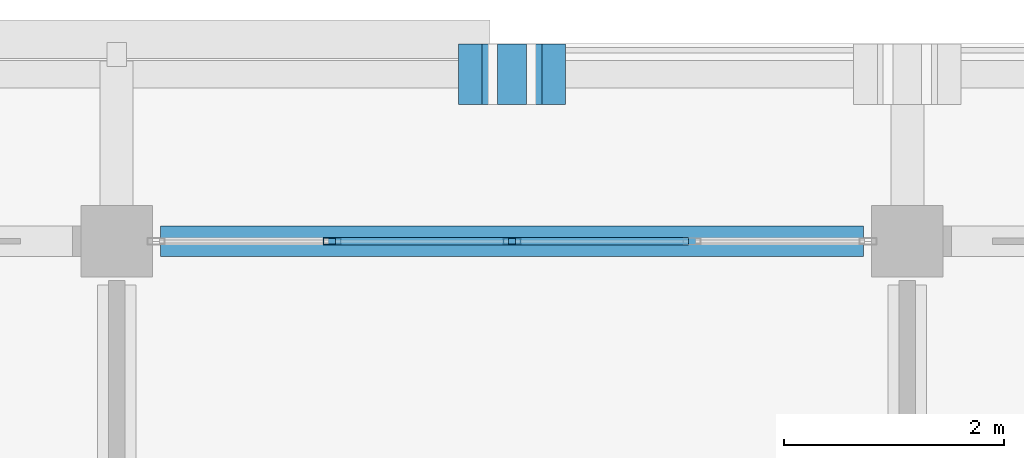
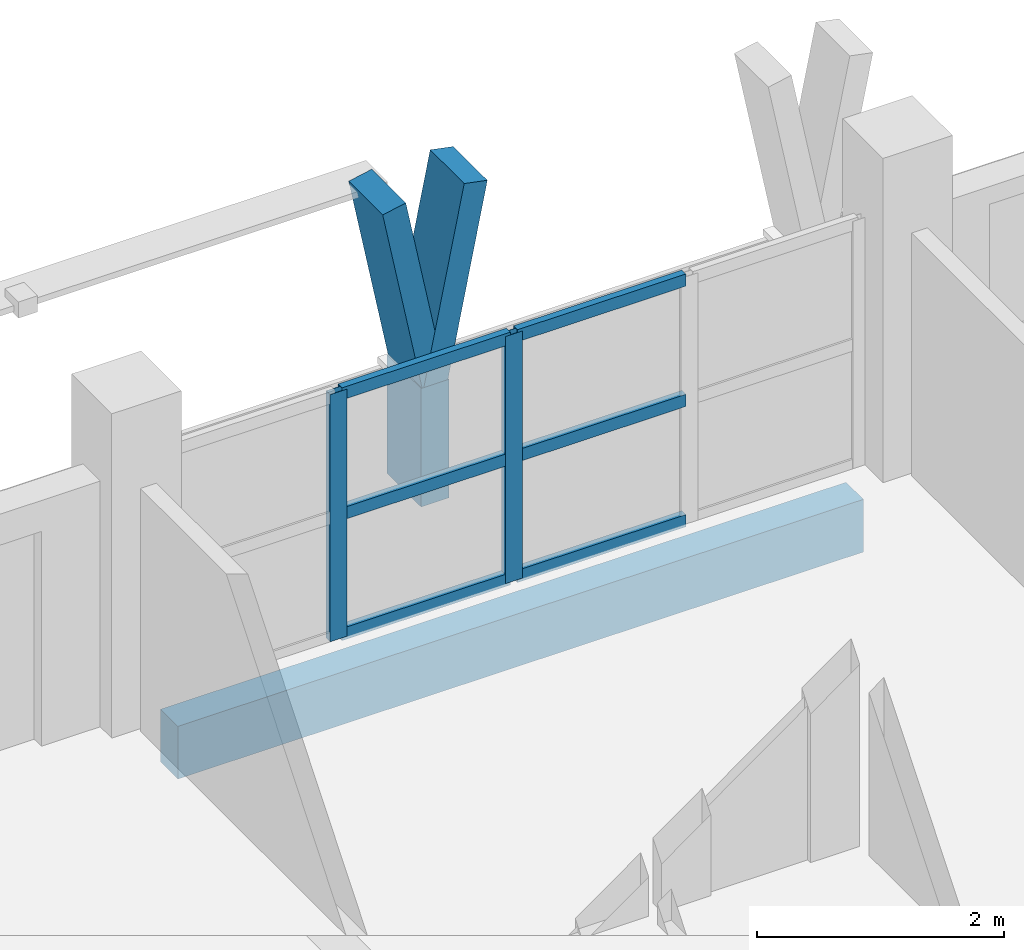
# One storey, part 39 of 157: 11 members, 1 beam, 1 element without a shape of its own.
"""IFC4 building model written with IfcOpenShell, lengths in metres."""

from ifc_helpers import new_model, si_unit, direction, frame, origin, origin_2d, place, context, subcontext, project, spatial, rectangle, hollow_rectangle, extrude, material, material_profile, profile_set, type_object, element, aggregate, save


model = new_model("IFC4")

# Units and contexts
model_context = context("Model", 3, precision=1e-05, world=origin(), true_north=direction((0.0, 1.0)))
body_context = subcontext(model_context, "Body", "Model", "MODEL_VIEW")
ifc_project = project(units=[si_unit("LENGTHUNIT", "METRE"), si_unit("AREAUNIT", "SQUARE_METRE"), si_unit("VOLUMEUNIT", "CUBIC_METRE"), si_unit("PLANEANGLEUNIT", "RADIAN"), si_unit("MASSUNIT", "GRAM", prefix="KILO")], contexts=[model_context])

# Site, building, storey
site_placement = place(None, origin())
site = spatial("IfcSite", under=ifc_project, at=site_placement, CompositionType="ELEMENT")
building_placement = place(site_placement, origin())
building = spatial("IfcBuilding", under=site, at=building_placement, Name="Suanplinth Sawtooth Commons", CompositionType="ELEMENT")
storey_placement = place(building_placement, frame((0.0, 0.0, 9.0)))
storey = spatial("IfcBuildingStorey", under=building, at=storey_placement, Name="L02", CompositionType="ELEMENT", Elevation=9.0)

# Beam
ifc_material_1 = material(Name="Precast concrete C40/50", Category="concrete")
ifc_material_profile_1 = material_profile(ifc_material_1, rectangle(XDim=0.280029296875, YDim=0.52001953125, at=origin_2d()), Name="PC-SP 280x520")
ifc_profile_set_1 = profile_set([ifc_material_profile_1], Name="Precast concrete C40/50")
beam_type = type_object("IfcBeamType", Name="B-08", PredefinedType="SPANDREL", material=ifc_profile_set_1)
beam_placement = place(storey_placement, frame((58.0, 122.39990234375, -0.510009765625), z_axis=(1.0, 0.0, 0.0), x_axis=(0.0, 1.0, 0.0)))
element("IfcBeam", 1, at=beam_placement, inside=storey, type_object=beam_type, Name="BMX-L02-A-8-17", PredefinedType="SPANDREL", context=body_context, shape_type="SweptSolid", body=[
    extrude(rectangle(XDim=0.280029296875, YDim=0.52001953125, at=origin_2d()), origin(), (0.0, 0.0, 1.0), 6.39990234375),
])

# Members
ifc_material_2 = material(Name="Pigmented precast concrete C40/50", Category="concrete")
ifc_material_profile_2 = material_profile(ifc_material_2, rectangle(XDim=0.260009765625, YDim=0.550048828125, at=origin_2d()), Name="PC-FIN 260x550")
ifc_profile_set_2 = profile_set([ifc_material_profile_2], Name="Pigmented precast concrete C40/50")
member_type_1 = type_object("IfcMemberType", Name="M-09", PredefinedType="USERDEFINED", material=ifc_profile_set_2)
member_1_placement = place(storey_placement, frame((61.199951171875, 123.919921875, 0.0), z_axis=(0.0, 0.0, 1.0), x_axis=(1.0, 0.0, 0.0)))
element("IfcMember", 2, at=member_1_placement, inside=storey, type_object=member_type_1, Name="Y-Blade Stem L02-A-N-06", ObjectType="SHADING FIN", PredefinedType="USERDEFINED", context=body_context, shape_type="SweptSolid", body=[
    extrude(rectangle(XDim=0.260009765625, YDim=0.550048828125, at=origin_2d()), origin(), (0.0, 0.0, 1.0), 1.169921875),
])
ifc_material_profile_3 = material_profile(ifc_material_2, rectangle(XDim=0.219970703125, YDim=0.550048828125, at=origin_2d()), Name="PC-FIN 220x550")
ifc_profile_set_3 = profile_set([ifc_material_profile_3], Name="Pigmented precast concrete C40/50")
member_type_2 = type_object("IfcMemberType", Name="M-10", PredefinedType="USERDEFINED", material=ifc_profile_set_3)
member_2_placement = place(storey_placement, frame((61.199951171875, 123.919921875, 1.1298828125), z_axis=(-0.196285728346, 0.0, 0.980546741796), x_axis=(0.980546741796, 0.0, 0.196285728346)))
element("IfcMember", 3, at=member_2_placement, inside=storey, type_object=member_type_2, Name="Y-Blade Arm L L02-A-N-06", ObjectType="SHADING FIN", PredefinedType="USERDEFINED", context=body_context, shape_type="SweptSolid", body=[
    extrude(rectangle(XDim=0.219970703125, YDim=0.550048828125, at=origin_2d()), origin(), (0.0, 0.0, 1.0), 1.937744140625),
])
member_3_placement = place(storey_placement, frame((61.199951171875, 123.919921875, 1.1298828125), z_axis=(0.196406855569, 0.0, 0.980522486782), x_axis=(-0.980522486782, 0.0, 0.196406855569)))
element("IfcMember", 4, at=member_3_placement, inside=storey, type_object=member_type_2, Name="Y-Blade Arm R L02-A-N-06", ObjectType="SHADING FIN", PredefinedType="USERDEFINED", context=body_context, shape_type="SweptSolid", body=[
    extrude(rectangle(XDim=0.219970703125, YDim=0.550048828125, at=origin_2d()), origin(), (0.0, 0.0, 1.0), 1.93798828125),
])

# Curtain wall, members
ifc_material_3 = material(Name="Anodized aluminium and low-E glazing", Category="aluminium")
curtain_wall_type = type_object("IfcCurtainWallType", Name="CW-06", PredefinedType="USERDEFINED", material=ifc_material_3)
curtain_wall_placement = place(storey_placement, origin())
curtain_wall = element("IfcCurtainWall", 5, at=curtain_wall_placement, inside=storey, type_object=curtain_wall_type, Name="Curtain Wall CW-L02-A-LOUNGE-8", ObjectType="CURTAIN WALL", PredefinedType="USERDEFINED")
ifc_material_4 = material(Name="Anodized aluminium 6063-T6", Category="aluminium")
ifc_material_profile_4 = material_profile(ifc_material_4, hollow_rectangle(XDim=0.06494140625, YDim=0.159912109375, WallThickness=0.00390625, at=origin_2d()), Name="ALU-MUL 65x160")
ifc_profile_set_4 = profile_set([ifc_material_profile_4], Name="Anodized aluminium 6063-T6")
member_type_3 = type_object("IfcMemberType", Name="M-13", PredefinedType="MULLION", material=ifc_profile_set_4)
member_4_placement = place(storey_placement, frame((59.5625, 122.39990234375, 0.0), z_axis=(0.0, 0.0, 1.0), x_axis=(0.0, 1.0, 0.0)))
member_4 = element("IfcMember", 6, at=member_4_placement, type_object=member_type_3, Name="CW-06 mullion 2", PredefinedType="MULLION", context=body_context, shape_type="SweptSolid", body=[
    extrude(hollow_rectangle(XDim=0.06494140625, YDim=0.159912109375, WallThickness=0.00390625, at=origin_2d()), origin(), (0.0, 0.0, 1.0), 2.43994140625),
])
member_5_placement = place(storey_placement, frame((61.199951171875, 122.39990234375, 0.0), z_axis=(0.0, 0.0, 1.0), x_axis=(0.0, 1.0, 0.0)))
member_5 = element("IfcMember", 7, at=member_5_placement, type_object=member_type_3, Name="CW-06 mullion 3", PredefinedType="MULLION", context=body_context, shape_type="SweptSolid", body=[
    extrude(hollow_rectangle(XDim=0.06494140625, YDim=0.159912109375, WallThickness=0.00390625, at=origin_2d()), origin(), (0.0, 0.0, 1.0), 2.43994140625),
])
ifc_material_profile_5 = material_profile(ifc_material_4, hollow_rectangle(XDim=0.06494140625, YDim=0.1201171875, WallThickness=0.00390625, at=origin_2d()), Name="ALU-TRN 65x120")
ifc_profile_set_5 = profile_set([ifc_material_profile_5], Name="Anodized aluminium 6063-T6")
member_type_4 = type_object("IfcMemberType", Name="M-15", PredefinedType="USERDEFINED", material=ifc_profile_set_5)
member_6_placement = place(storey_placement, frame((59.594970703125, 122.39990234375, 0.032470703125), z_axis=(1.0, 0.0, 0.0), x_axis=(0.0, 1.0, 0.0)))
member_6 = element("IfcMember", 8, at=member_6_placement, type_object=member_type_4, Name="CW-06 transom 2.1", ObjectType="TRANSOM", PredefinedType="USERDEFINED", context=body_context, shape_type="SweptSolid", body=[
    extrude(hollow_rectangle(XDim=0.06494140625, YDim=0.1201171875, WallThickness=0.00390625, at=origin_2d()), origin(), (0.0, 0.0, 1.0), 1.572509765625),
])
member_7_placement = place(storey_placement, frame((59.594970703125, 122.39990234375, 1.219970703125), z_axis=(1.0, 0.0, 0.0), x_axis=(0.0, 1.0, 0.0)))
member_7 = element("IfcMember", 9, at=member_7_placement, type_object=member_type_4, Name="CW-06 transom 2.2", ObjectType="TRANSOM", PredefinedType="USERDEFINED", context=body_context, shape_type="SweptSolid", body=[
    extrude(hollow_rectangle(XDim=0.06494140625, YDim=0.1201171875, WallThickness=0.00390625, at=origin_2d()), origin(), (0.0, 0.0, 1.0), 1.572509765625),
])
member_8_placement = place(storey_placement, frame((59.594970703125, 122.39990234375, 2.407470703125), z_axis=(1.0, 0.0, 0.0), x_axis=(0.0, 1.0, 0.0)))
member_8 = element("IfcMember", 10, at=member_8_placement, type_object=member_type_4, Name="CW-06 transom 2.3", ObjectType="TRANSOM", PredefinedType="USERDEFINED", context=body_context, shape_type="SweptSolid", body=[
    extrude(hollow_rectangle(XDim=0.06494140625, YDim=0.1201171875, WallThickness=0.00390625, at=origin_2d()), origin(), (0.0, 0.0, 1.0), 1.572509765625),
])
member_9_placement = place(storey_placement, frame((61.232421875, 122.39990234375, 0.032470703125), z_axis=(1.0, 0.0, 0.0), x_axis=(0.0, 1.0, 0.0)))
member_9 = element("IfcMember", 11, at=member_9_placement, type_object=member_type_4, Name="CW-06 transom 3.1", ObjectType="TRANSOM", PredefinedType="USERDEFINED", context=body_context, shape_type="SweptSolid", body=[
    extrude(hollow_rectangle(XDim=0.06494140625, YDim=0.1201171875, WallThickness=0.00390625, at=origin_2d()), origin(), (0.0, 0.0, 1.0), 1.572509765625),
])
member_10_placement = place(storey_placement, frame((61.232421875, 122.39990234375, 1.219970703125), z_axis=(1.0, 0.0, 0.0), x_axis=(0.0, 1.0, 0.0)))
member_10 = element("IfcMember", 12, at=member_10_placement, type_object=member_type_4, Name="CW-06 transom 3.2", ObjectType="TRANSOM", PredefinedType="USERDEFINED", context=body_context, shape_type="SweptSolid", body=[
    extrude(hollow_rectangle(XDim=0.06494140625, YDim=0.1201171875, WallThickness=0.00390625, at=origin_2d()), origin(), (0.0, 0.0, 1.0), 1.572509765625),
])
member_11_placement = place(storey_placement, frame((61.232421875, 122.39990234375, 2.407470703125), z_axis=(1.0, 0.0, 0.0), x_axis=(0.0, 1.0, 0.0)))
member_11 = element("IfcMember", 13, at=member_11_placement, type_object=member_type_4, Name="CW-06 transom 3.3", ObjectType="TRANSOM", PredefinedType="USERDEFINED", context=body_context, shape_type="SweptSolid", body=[
    extrude(hollow_rectangle(XDim=0.06494140625, YDim=0.1201171875, WallThickness=0.00390625, at=origin_2d()), origin(), (0.0, 0.0, 1.0), 1.572509765625),
])
aggregate(curtain_wall, [member_4, member_5, member_6, member_7, member_8, member_9, member_10, member_11])

save(model, "model.ifc")
